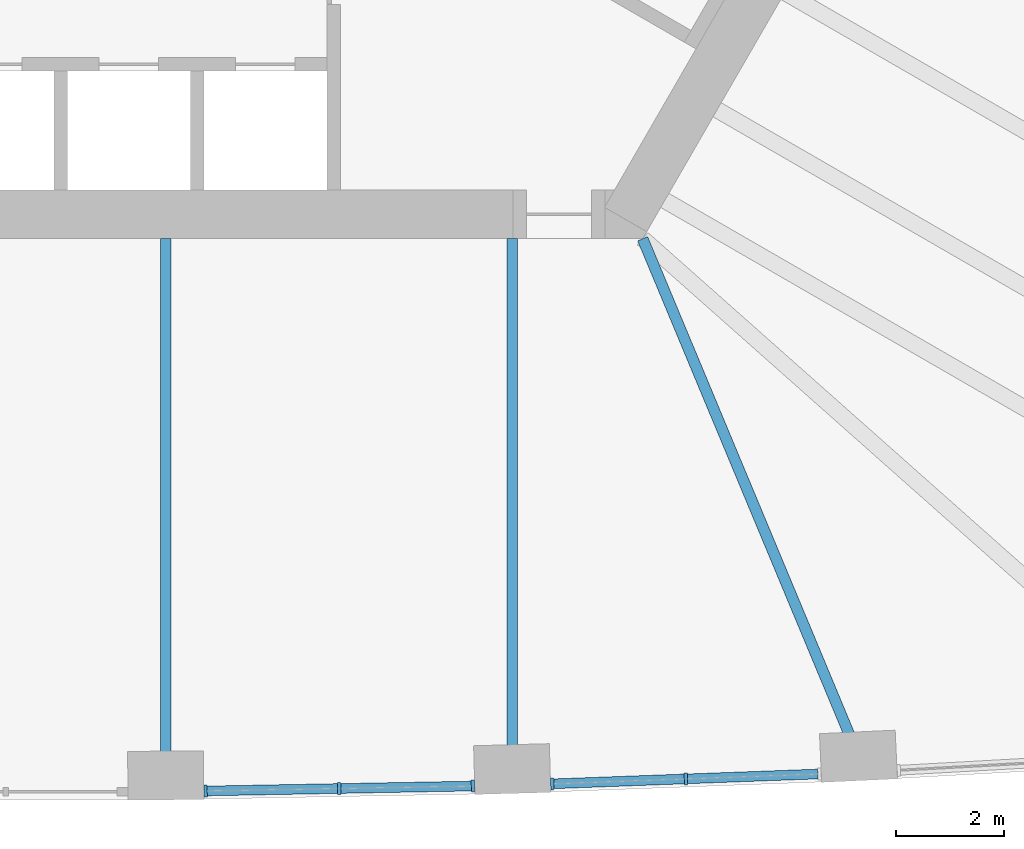
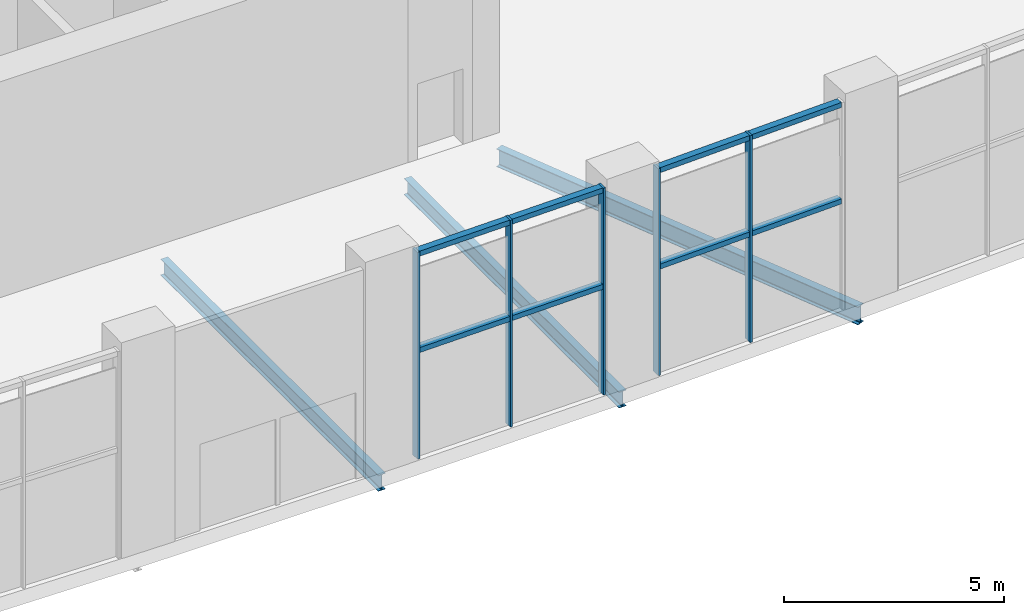
# One storey, part 6 of 41: 13 members, 3 beams, 1 element without a shape of its own.
"""IFC4 building model written with IfcOpenShell, lengths in metres."""

from ifc_helpers import new_model, si_unit, direction, frame, origin, origin_2d, place, context, subcontext, project, spatial, rectangle, i_section, extrude, material, material_profile, profile_set, type_object, element, aggregate, save


model = new_model("IFC4")

# Units and contexts
model_context = context("Model", 3, precision=1e-05, world=origin(), true_north=direction((0.0, 1.0)))
body_context = subcontext(model_context, "Body", "Model", "MODEL_VIEW")
ifc_project = project(units=[si_unit("LENGTHUNIT", "METRE"), si_unit("AREAUNIT", "SQUARE_METRE"), si_unit("VOLUMEUNIT", "CUBIC_METRE"), si_unit("PLANEANGLEUNIT", "RADIAN"), si_unit("MASSUNIT", "GRAM", prefix="KILO")], contexts=[model_context])

# Site, building, storey
site_placement = place(None, origin())
site = spatial("IfcSite", under=ifc_project, at=site_placement, CompositionType="ELEMENT")
building_placement = place(site_placement, origin())
building = spatial("IfcBuilding", under=site, at=building_placement, Name="Mestral Congress Tower", CompositionType="ELEMENT")
storey_placement = place(building_placement, frame((0.0, 0.0, 21.60009765625)))
storey = spatial("IfcBuildingStorey", under=building, at=storey_placement, Name="L04", CompositionType="ELEMENT", Elevation=21.60009765625)

# Curtain wall, members
ifc_material_1 = material(Name="Clear low-emissivity double glazing", Category="glass")
curtain_wall_type = type_object("IfcCurtainWallType", Name="Facade arrival lobby curtain wall", PredefinedType="USERDEFINED", material=ifc_material_1)
curtain_wall_placement = place(storey_placement, origin())
curtain_wall = element("IfcCurtainWall", 1, at=curtain_wall_placement, inside=storey, type_object=curtain_wall_type, Name="Facade arrival lobby curtain wall face 1", ObjectType="CURTAIN WALL", PredefinedType="USERDEFINED")
ifc_material_2 = material(Name="Anodised aluminium", Category="aluminium")
ifc_material_profile_1 = material_profile(ifc_material_2, rectangle(XDim=0.219970703125, YDim=0.06005859375, at=origin_2d()), Name="CW4 mullion 220 x 60")
ifc_profile_set_1 = profile_set([ifc_material_profile_1], Name="Anodised aluminium")
member_type_1 = type_object("IfcMemberType", Name="Facade arrival lobby curtain wall mullion", PredefinedType="MULLION", material=ifc_profile_set_1)
member_1_placement = place(storey_placement, frame((3.936279296875, -23.19970703125, 0.0), z_axis=(0.0, 0.0, 1.0), x_axis=(0.018476749332, -0.999829290296, 0.0)))
member_1 = element("IfcMember", 2, at=member_1_placement, type_object=member_type_1, Name="Facade arrival lobby curtain wall mullion", PredefinedType="MULLION", context=body_context, shape_type="SweptSolid", body=[
    extrude(rectangle(XDim=0.219970703125, YDim=0.06005859375, at=origin_2d()), origin(), (0.0, 0.0, 1.0), 5.75),
])
member_2_placement = place(storey_placement, frame((6.40478515625, -23.154052734375, 0.0), z_axis=(0.0, 0.0, 1.0), x_axis=(0.018476749332, -0.999829290296, 0.0)))
member_2 = element("IfcMember", 3, at=member_2_placement, type_object=member_type_1, Name="Facade arrival lobby curtain wall mullion", PredefinedType="MULLION", context=body_context, shape_type="SweptSolid", body=[
    extrude(rectangle(XDim=0.219970703125, YDim=0.06005859375, at=origin_2d()), origin(), (0.0, 0.0, 1.0), 5.75),
])
member_3_placement = place(storey_placement, frame((8.87353515625, -23.1083984375, 0.0), z_axis=(0.0, 0.0, 1.0), x_axis=(0.018476749332, -0.999829290296, 0.0)))
member_3 = element("IfcMember", 4, at=member_3_placement, type_object=member_type_1, Name="Facade arrival lobby curtain wall mullion", PredefinedType="MULLION", context=body_context, shape_type="SweptSolid", body=[
    extrude(rectangle(XDim=0.219970703125, YDim=0.06005859375, at=origin_2d()), origin(), (0.0, 0.0, 1.0), 5.75),
])
member_4_placement = place(storey_placement, frame((10.340087890625, -23.067626953125, 0.0), z_axis=(0.0, 0.0, 1.0), x_axis=(0.036968119987, -0.999316445429, 0.0)))
member_4 = element("IfcMember", 5, at=member_4_placement, type_object=member_type_1, Name="Facade arrival lobby curtain wall mullion", PredefinedType="MULLION", context=body_context, shape_type="SweptSolid", body=[
    extrude(rectangle(XDim=0.219970703125, YDim=0.06005859375, at=origin_2d()), origin(), (0.0, 0.0, 1.0), 5.75),
])
member_5_placement = place(storey_placement, frame((12.8076171875, -22.9765625, 0.0), z_axis=(0.0, 0.0, 1.0), x_axis=(0.036968119987, -0.999316445429, 0.0)))
member_5 = element("IfcMember", 6, at=member_5_placement, type_object=member_type_1, Name="Facade arrival lobby curtain wall mullion", PredefinedType="MULLION", context=body_context, shape_type="SweptSolid", body=[
    extrude(rectangle(XDim=0.219970703125, YDim=0.06005859375, at=origin_2d()), origin(), (0.0, 0.0, 1.0), 5.75),
])
ifc_material_profile_2 = material_profile(ifc_material_2, rectangle(XDim=0.179931640625, YDim=0.139892578125, at=origin_2d()), Name="CW4 transom 180 x 140")
ifc_profile_set_2 = profile_set([ifc_material_profile_2], Name="Anodised aluminium")
member_type_2 = type_object("IfcMemberType", Name="Facade arrival lobby curtain wall transom", PredefinedType="USERDEFINED", material=ifc_profile_set_2)
member_6_placement = place(storey_placement, frame((3.96630859375, -23.19921875, 3.0), z_axis=(0.999828020012, 0.018545360598, 0.0), x_axis=(-0.018545360598, 0.999828020012, 0.0)))
member_6 = element("IfcMember", 7, at=member_6_placement, type_object=member_type_2, Name="Facade arrival lobby curtain wall transom", ObjectType="TRANSOM", PredefinedType="USERDEFINED", context=body_context, shape_type="SweptSolid", body=[
    extrude(rectangle(XDim=0.179931640625, YDim=0.139892578125, at=origin_2d()), origin(), (0.0, 0.0, 1.0), 2.4091796875),
])
member_7_placement = place(storey_placement, frame((3.96630859375, -23.19921875, 5.679931640625), z_axis=(0.999828020012, 0.018545360598, 0.0), x_axis=(-0.018545360598, 0.999828020012, 0.0)))
member_7 = element("IfcMember", 8, at=member_7_placement, type_object=member_type_2, Name="Facade arrival lobby curtain wall transom", ObjectType="TRANSOM", PredefinedType="USERDEFINED", context=body_context, shape_type="SweptSolid", body=[
    extrude(rectangle(XDim=0.179931640625, YDim=0.139892578125, at=origin_2d()), origin(), (0.0, 0.0, 1.0), 2.4091796875),
])
member_8_placement = place(storey_placement, frame((6.434814453125, -23.153564453125, 3.0), z_axis=(0.999828020012, 0.018545360598, 0.0), x_axis=(-0.018545360598, 0.999828020012, 0.0)))
member_8 = element("IfcMember", 9, at=member_8_placement, type_object=member_type_2, Name="Facade arrival lobby curtain wall transom", ObjectType="TRANSOM", PredefinedType="USERDEFINED", context=body_context, shape_type="SweptSolid", body=[
    extrude(rectangle(XDim=0.179931640625, YDim=0.139892578125, at=origin_2d()), origin(), (0.0, 0.0, 1.0), 2.4091796875),
])
member_9_placement = place(storey_placement, frame((6.434814453125, -23.153564453125, 5.679931640625), z_axis=(0.999828020012, 0.018545360598, 0.0), x_axis=(-0.018545360598, 0.999828020012, 0.0)))
member_9 = element("IfcMember", 10, at=member_9_placement, type_object=member_type_2, Name="Facade arrival lobby curtain wall transom", ObjectType="TRANSOM", PredefinedType="USERDEFINED", context=body_context, shape_type="SweptSolid", body=[
    extrude(rectangle(XDim=0.179931640625, YDim=0.139892578125, at=origin_2d()), origin(), (0.0, 0.0, 1.0), 2.4091796875),
])
member_10_placement = place(storey_placement, frame((10.3701171875, -23.066650390625, 3.0), z_axis=(0.999315666447, 0.036989171306, 0.0), x_axis=(-0.036989171306, 0.999315666447, 0.0)))
member_10 = element("IfcMember", 11, at=member_10_placement, type_object=member_type_2, Name="Facade arrival lobby curtain wall transom", ObjectType="TRANSOM", PredefinedType="USERDEFINED", context=body_context, shape_type="SweptSolid", body=[
    extrude(rectangle(XDim=0.179931640625, YDim=0.139892578125, at=origin_2d()), origin(), (0.0, 0.0, 1.0), 2.4091796875),
])
member_11_placement = place(storey_placement, frame((10.3701171875, -23.066650390625, 5.679931640625), z_axis=(0.999315666447, 0.036989171306, 0.0), x_axis=(-0.036989171306, 0.999315666447, 0.0)))
member_11 = element("IfcMember", 12, at=member_11_placement, type_object=member_type_2, Name="Facade arrival lobby curtain wall transom", ObjectType="TRANSOM", PredefinedType="USERDEFINED", context=body_context, shape_type="SweptSolid", body=[
    extrude(rectangle(XDim=0.179931640625, YDim=0.139892578125, at=origin_2d()), origin(), (0.0, 0.0, 1.0), 2.4091796875),
])
member_12_placement = place(storey_placement, frame((12.837646484375, -22.975341796875, 3.0), z_axis=(0.999315666447, 0.036989171306, 0.0), x_axis=(-0.036989171306, 0.999315666447, 0.0)))
member_12 = element("IfcMember", 13, at=member_12_placement, type_object=member_type_2, Name="Facade arrival lobby curtain wall transom", ObjectType="TRANSOM", PredefinedType="USERDEFINED", context=body_context, shape_type="SweptSolid", body=[
    extrude(rectangle(XDim=0.179931640625, YDim=0.139892578125, at=origin_2d()), origin(), (0.0, 0.0, 1.0), 2.4091796875),
])
member_13_placement = place(storey_placement, frame((12.837646484375, -22.975341796875, 5.679931640625), z_axis=(0.999315666447, 0.036989171306, 0.0), x_axis=(-0.036989171306, 0.999315666447, 0.0)))
member_13 = element("IfcMember", 14, at=member_13_placement, type_object=member_type_2, Name="Facade arrival lobby curtain wall transom", ObjectType="TRANSOM", PredefinedType="USERDEFINED", context=body_context, shape_type="SweptSolid", body=[
    extrude(rectangle(XDim=0.179931640625, YDim=0.139892578125, at=origin_2d()), origin(), (0.0, 0.0, 1.0), 2.4091796875),
])
aggregate(curtain_wall, [member_1, member_2, member_3, member_6, member_7, member_8, member_9, member_4, member_5, member_10, member_11, member_12, member_13])

# Beams
ifc_material_3 = material(Name="Steel S355", Category="steel")
ifc_material_profile_3 = material_profile(ifc_material_3, i_section(OverallWidth=0.18994140625, OverallDepth=0.449951171875, WebThickness=0.009521484375, FlangeThickness=0.0146484375, FilletRadius=0.02099609375, at=origin_2d()), Name="IPE 450")
ifc_profile_set_3 = profile_set([ifc_material_profile_3], Name="Steel S355")
beam_type_1 = type_object("IfcBeamType", Name="Floor beam IPE 450 S355", PredefinedType="BEAM", material=ifc_profile_set_3)
beam_1_placement = place(storey_placement, frame((3.199951171875, -22.9130859375, -0.625), z_axis=(0.0, 1.0, 0.0), x_axis=(-1.0, 0.0, 0.0)))
element("IfcBeam", 15, at=beam_1_placement, inside=storey, type_object=beam_type_1, Name="BM-L04-RB1-S05", PredefinedType="BEAM", context=body_context, shape_type="SweptSolid", body=[
    extrude(i_section(OverallWidth=0.18994140625, OverallDepth=0.449951171875, WebThickness=0.009521484375, FlangeThickness=0.0146484375, FilletRadius=0.02099609375, at=origin_2d()), origin(), (0.0, 0.0, 1.0), 9.9130859375),
])
beam_2_placement = place(storey_placement, frame((9.598876953125, -22.794921875, -0.625), z_axis=(0.0, 1.0, 0.0), x_axis=(-1.0, 0.0, 0.0)))
element("IfcBeam", 16, at=beam_2_placement, inside=storey, type_object=beam_type_1, Name="BM-L04-RB1-S06", PredefinedType="BEAM", context=body_context, shape_type="SweptSolid", body=[
    extrude(i_section(OverallWidth=0.18994140625, OverallDepth=0.449951171875, WebThickness=0.009521484375, FlangeThickness=0.0146484375, FilletRadius=0.02099609375, at=origin_2d()), origin(), (0.0, 0.0, 1.0), 9.794921875),
])
ifc_material_profile_4 = material_profile(ifc_material_3, i_section(OverallWidth=0.199951171875, OverallDepth=0.5, WebThickness=0.01025390625, FlangeThickness=0.01611328125, FilletRadius=0.02099609375, at=origin_2d()), Name="IPE 500")
ifc_profile_set_4 = profile_set([ifc_material_profile_4], Name="Steel S355")
beam_type_2 = type_object("IfcBeamType", Name="Floor beam IPE 500 S355", PredefinedType="BEAM", material=ifc_profile_set_4)
beam_3_placement = place(storey_placement, frame((15.994384765625, -22.558349609375, -0.650146484375), z_axis=(-0.384858093786, 0.922975756804, 0.0), x_axis=(-0.922975756804, -0.384858093786, 0.0)))
element("IfcBeam", 17, at=beam_3_placement, inside=storey, type_object=beam_type_2, Name="BM-L04-RB1-S07", PredefinedType="BEAM", context=body_context, shape_type="SweptSolid", body=[
    extrude(i_section(OverallWidth=0.199951171875, OverallDepth=0.5, WebThickness=0.01025390625, FlangeThickness=0.01611328125, FilletRadius=0.02099609375, at=origin_2d()), origin(), (0.0, 0.0, 1.0), 10.35595703125),
])

save(model, "model.ifc")
